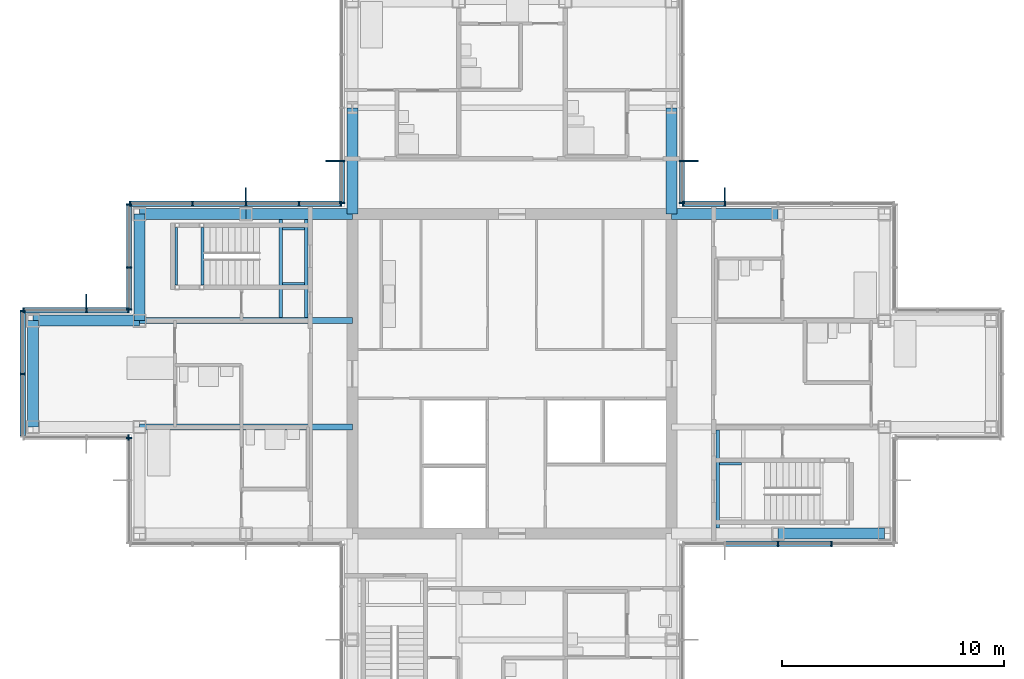
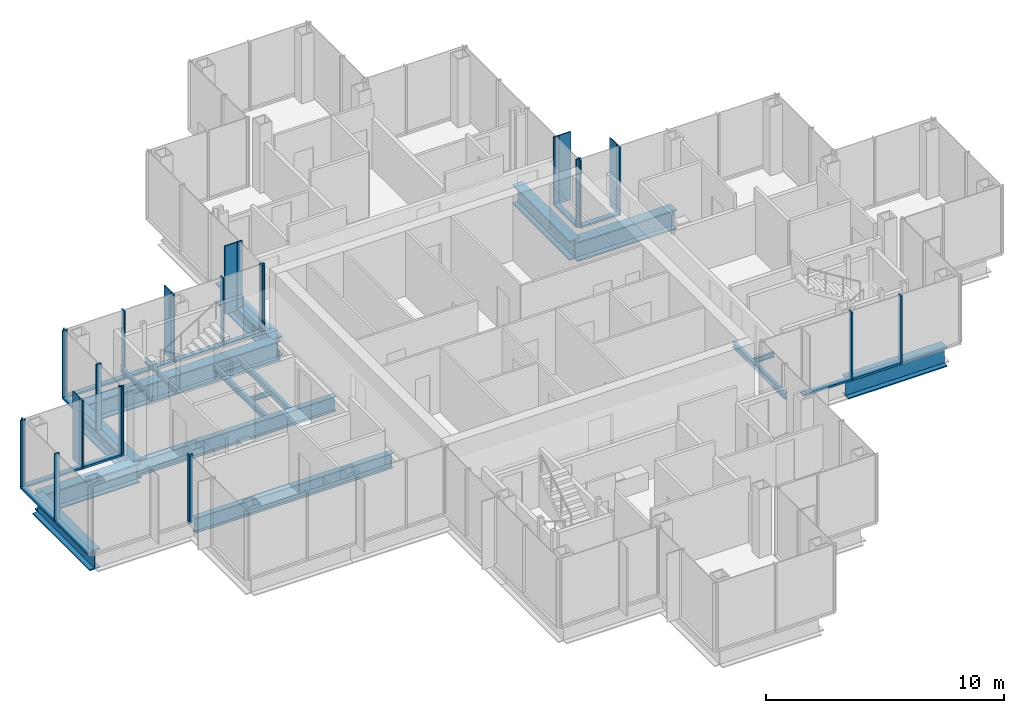
# One storey, part 7 of 17: 43 members, 19 beams, 10 elements without a shape of their own.
"""IFC4 building model written with IfcOpenShell, lengths in metres."""

from ifc_helpers import new_model, si_unit, direction, frame, origin, origin_2d, place, context, subcontext, project, spatial, rectangle, i_section, extrude, material, material_profile, profile_set, type_object, element, aggregate, save


model = new_model("IFC4")

# Units and contexts
model_context = context("Model", 3, precision=1e-05, world=origin(), true_north=direction((0.0, 1.0)))
body_context = subcontext(model_context, "Body", "Model", "MODEL_VIEW")
ifc_project = project(units=[si_unit("LENGTHUNIT", "METRE"), si_unit("AREAUNIT", "SQUARE_METRE"), si_unit("VOLUMEUNIT", "CUBIC_METRE"), si_unit("PLANEANGLEUNIT", "RADIAN"), si_unit("MASSUNIT", "GRAM", prefix="KILO")], contexts=[model_context])

# Site, building, storey
site_placement = place(None, origin())
site = spatial("IfcSite", under=ifc_project, at=site_placement, CompositionType="ELEMENT")
building_placement = place(site_placement, origin())
building = spatial("IfcBuilding", under=site, at=building_placement, Name="Kvirike Care Tower", CompositionType="ELEMENT")
storey_placement = place(building_placement, frame((0.0, 0.0, 151.5)))
storey = spatial("IfcBuildingStorey", under=building, at=storey_placement, Name="L41", CompositionType="ELEMENT", Elevation=151.5)

# Curtain wall, member
ifc_material_1 = material(Name="Anodised aluminium stick system", Category="aluminium")
curtain_wall_type = type_object("IfcCurtainWallType", Name="CW-C STICK CURTAIN WALL", PredefinedType="NOTDEFINED", material=ifc_material_1)
curtain_wall_1_placement = place(storey_placement, origin())
curtain_wall_1 = element("IfcCurtainWall", 1, at=curtain_wall_1_placement, inside=storey, type_object=curtain_wall_type, Name="Curtain wall L41 face 7", PredefinedType="NOTDEFINED")
ifc_material_2 = material(Name="Bronze anodised aluminium fin", Category="aluminium")
ifc_material_profile_1 = material_profile(ifc_material_2, rectangle(XDim=0.050048828125, YDim=0.60009765625, at=origin_2d()), Name="BRONZE FIN 600")
ifc_profile_set_1 = profile_set([ifc_material_profile_1], Name="Bronze anodised aluminium fin")
member_type_1 = type_object("IfcMemberType", Name="BRONZE FIN 600", PredefinedType="USERDEFINED", material=ifc_profile_set_1)
member_1_placement = place(storey_placement, frame((31.199951171875, 44.090087890625, 0.0), z_axis=(0.0, 0.0, 1.0), x_axis=(-1.0, 0.0, 0.0)))
member_1 = element("IfcMember", 2, at=member_1_placement, type_object=member_type_1, Name="Bronze fin L41 face 7.4", ObjectType="FIN", PredefinedType="USERDEFINED", context=body_context, shape_type="SweptSolid", body=[
    extrude(rectangle(XDim=0.050048828125, YDim=0.60009765625, at=origin_2d()), origin(), (0.0, 0.0, 1.0), 3.5),
])

curtain_wall_2_placement = place(storey_placement, origin())
curtain_wall_2 = element("IfcCurtainWall", 3, at=curtain_wall_2_placement, inside=storey, type_object=curtain_wall_type, Name="Curtain wall L41 face 8", PredefinedType="NOTDEFINED")
member_2_placement = place(storey_placement, frame((29.68994140625, 45.60009765625, 0.0), z_axis=(0.0, 0.0, 1.0), x_axis=(0.0, 1.0, 0.0)))
member_2 = element("IfcMember", 4, at=member_2_placement, type_object=member_type_1, Name="Bronze fin L41 face 8.2", ObjectType="FIN", PredefinedType="USERDEFINED", context=body_context, shape_type="SweptSolid", body=[
    extrude(rectangle(XDim=0.050048828125, YDim=0.60009765625, at=origin_2d()), origin(), (0.0, 0.0, 1.0), 3.5),
])

curtain_wall_3_placement = place(storey_placement, origin())
curtain_wall_3 = element("IfcCurtainWall", 5, at=curtain_wall_3_placement, inside=storey, type_object=curtain_wall_type, Name="Curtain wall L41 face 14", PredefinedType="NOTDEFINED")
member_3_placement = place(storey_placement, frame((13.510009765625, 45.60009765625, 0.0), z_axis=(0.0, 0.0, 1.0), x_axis=(0.0, -1.0, 0.0)))
member_3 = element("IfcMember", 6, at=member_3_placement, type_object=member_type_1, Name="Bronze fin L41 face 14.4", ObjectType="FIN", PredefinedType="USERDEFINED", context=body_context, shape_type="SweptSolid", body=[
    extrude(rectangle(XDim=0.050048828125, YDim=0.60009765625, at=origin_2d()), origin(), (0.0, 0.0, 1.0), 3.5),
])

curtain_wall_4_placement = place(storey_placement, origin())
curtain_wall_4 = element("IfcCurtainWall", 7, at=curtain_wall_4_placement, inside=storey, type_object=curtain_wall_type, Name="Curtain wall L41 face 15", PredefinedType="NOTDEFINED")
member_4_placement = place(storey_placement, frame((9.60009765625, 44.090087890625, 0.0), z_axis=(0.0, 0.0, 1.0), x_axis=(-1.0, 0.0, 0.0)))
member_4 = element("IfcMember", 8, at=member_4_placement, type_object=member_type_1, Name="Bronze fin L41 face 15.3", ObjectType="FIN", PredefinedType="USERDEFINED", context=body_context, shape_type="SweptSolid", body=[
    extrude(rectangle(XDim=0.050048828125, YDim=0.60009765625, at=origin_2d()), origin(), (0.0, 0.0, 1.0), 3.5),
])

curtain_wall_5_placement = place(storey_placement, origin())
curtain_wall_5 = element("IfcCurtainWall", 9, at=curtain_wall_5_placement, inside=storey, type_object=curtain_wall_type, Name="Curtain wall L41 face 17", PredefinedType="NOTDEFINED")
member_5_placement = place(storey_placement, frame((2.39990234375, 39.2900390625, 0.0), z_axis=(0.0, 0.0, 1.0), x_axis=(-1.0, 0.0, 0.0)))
member_5 = element("IfcMember", 10, at=member_5_placement, type_object=member_type_1, Name="Bronze fin L41 face 17.2", ObjectType="FIN", PredefinedType="USERDEFINED", context=body_context, shape_type="SweptSolid", body=[
    extrude(rectangle(XDim=0.050048828125, YDim=0.60009765625, at=origin_2d()), origin(), (0.0, 0.0, 1.0), 3.5),
])

# Curtain wall, members
curtain_wall_6_placement = place(storey_placement, origin())
curtain_wall_6 = element("IfcCurtainWall", 11, at=curtain_wall_6_placement, inside=storey, type_object=curtain_wall_type, Name="Curtain wall L41 face 1", PredefinedType="NOTDEFINED")
ifc_material_3 = material(Name="Bronze anodised aluminium mullion", Category="aluminium")
ifc_material_profile_2 = material_profile(ifc_material_3, rectangle(XDim=0.06494140625, YDim=0.239990234375, at=origin_2d()), Name="CW-C MULLION 65x240")
ifc_profile_set_2 = profile_set([ifc_material_profile_2], Name="Bronze anodised aluminium mullion")
member_type_2 = type_object("IfcMemberType", Name="CW-C MULLION 65x240", PredefinedType="MULLION", material=ifc_profile_set_2)
member_6_placement = place(storey_placement, frame((33.60009765625, 28.330078125, 0.0), z_axis=(0.0, 0.0, 1.0), x_axis=(1.0, 0.0, 0.0)))
member_6 = element("IfcMember", 12, at=member_6_placement, type_object=member_type_2, Name="CW-C mullion L41 face 1.3", PredefinedType="MULLION", context=body_context, shape_type="SweptSolid", body=[
    extrude(rectangle(XDim=0.06494140625, YDim=0.239990234375, at=origin_2d()), origin(), (0.0, 0.0, 1.0), 3.5),
])
member_7_placement = place(storey_placement, frame((36.0, 28.330078125, 0.0), z_axis=(0.0, 0.0, 1.0), x_axis=(1.0, 0.0, 0.0)))
member_7 = element("IfcMember", 13, at=member_7_placement, type_object=member_type_2, Name="CW-C mullion L41 face 1.4", PredefinedType="MULLION", context=body_context, shape_type="SweptSolid", body=[
    extrude(rectangle(XDim=0.06494140625, YDim=0.239990234375, at=origin_2d()), origin(), (0.0, 0.0, 1.0), 3.5),
])

# Member
member_8_placement = place(storey_placement, frame((31.199951171875, 43.669921875, 0.0), z_axis=(0.0, 0.0, 1.0), x_axis=(-1.0, 0.0, 0.0)))
member_8 = element("IfcMember", 14, at=member_8_placement, type_object=member_type_2, Name="CW-C mullion L41 face 7.4", PredefinedType="MULLION", context=body_context, shape_type="SweptSolid", body=[
    extrude(rectangle(XDim=0.06494140625, YDim=0.239990234375, at=origin_2d()), origin(), (0.0, 0.0, 1.0), 3.5),
])

member_9_placement = place(storey_placement, frame((29.302490234375, 43.669921875, 0.0), z_axis=(0.0, 0.0, 1.0), x_axis=(-1.0, 0.0, 0.0)))
member_9 = element("IfcMember", 15, at=member_9_placement, type_object=member_type_2, Name="CW-C mullion L41 face 7.5", PredefinedType="MULLION", context=body_context, shape_type="SweptSolid", body=[
    extrude(rectangle(XDim=0.06494140625, YDim=0.239990234375, at=origin_2d()), origin(), (0.0, 0.0, 1.0), 3.5),
])

member_10_placement = place(storey_placement, frame((29.27001953125, 43.702392578125, 0.0), z_axis=(0.0, 0.0, 1.0), x_axis=(0.0, 1.0, 0.0)))
member_10 = element("IfcMember", 16, at=member_10_placement, type_object=member_type_2, Name="CW-C mullion L41 face 8.1", PredefinedType="MULLION", context=body_context, shape_type="SweptSolid", body=[
    extrude(rectangle(XDim=0.06494140625, YDim=0.239990234375, at=origin_2d()), origin(), (0.0, 0.0, 1.0), 3.5),
])

member_11_placement = place(storey_placement, frame((29.27001953125, 45.60009765625, 0.0), z_axis=(0.0, 0.0, 1.0), x_axis=(0.0, 1.0, 0.0)))
member_11 = element("IfcMember", 17, at=member_11_placement, type_object=member_type_2, Name="CW-C mullion L41 face 8.2", PredefinedType="MULLION", context=body_context, shape_type="SweptSolid", body=[
    extrude(rectangle(XDim=0.06494140625, YDim=0.239990234375, at=origin_2d()), origin(), (0.0, 0.0, 1.0), 3.5),
])

member_12_placement = place(storey_placement, frame((13.929931640625, 45.60009765625, 0.0), z_axis=(0.0, 0.0, 1.0), x_axis=(0.0, -1.0, 0.0)))
member_12 = element("IfcMember", 18, at=member_12_placement, type_object=member_type_2, Name="CW-C mullion L41 face 14.4", PredefinedType="MULLION", context=body_context, shape_type="SweptSolid", body=[
    extrude(rectangle(XDim=0.06494140625, YDim=0.239990234375, at=origin_2d()), origin(), (0.0, 0.0, 1.0), 3.5),
])

member_13_placement = place(storey_placement, frame((13.929931640625, 43.702392578125, 0.0), z_axis=(0.0, 0.0, 1.0), x_axis=(0.0, -1.0, 0.0)))
member_13 = element("IfcMember", 19, at=member_13_placement, type_object=member_type_2, Name="CW-C mullion L41 face 14.5", PredefinedType="MULLION", context=body_context, shape_type="SweptSolid", body=[
    extrude(rectangle(XDim=0.06494140625, YDim=0.239990234375, at=origin_2d()), origin(), (0.0, 0.0, 1.0), 3.5),
])

member_14_placement = place(storey_placement, frame((13.8974609375, 43.669921875, 0.0), z_axis=(0.0, 0.0, 1.0), x_axis=(-1.0, 0.0, 0.0)))
member_14 = element("IfcMember", 20, at=member_14_placement, type_object=member_type_2, Name="CW-C mullion L41 face 15.1", PredefinedType="MULLION", context=body_context, shape_type="SweptSolid", body=[
    extrude(rectangle(XDim=0.06494140625, YDim=0.239990234375, at=origin_2d()), origin(), (0.0, 0.0, 1.0), 3.5),
])

member_15_placement = place(storey_placement, frame((12.0, 43.669921875, 0.0), z_axis=(0.0, 0.0, 1.0), x_axis=(-1.0, 0.0, 0.0)))
member_15 = element("IfcMember", 21, at=member_15_placement, type_object=member_type_2, Name="CW-C mullion L41 face 15.2", PredefinedType="MULLION", context=body_context, shape_type="SweptSolid", body=[
    extrude(rectangle(XDim=0.06494140625, YDim=0.239990234375, at=origin_2d()), origin(), (0.0, 0.0, 1.0), 3.5),
])

member_16_placement = place(storey_placement, frame((9.60009765625, 43.669921875, 0.0), z_axis=(0.0, 0.0, 1.0), x_axis=(-1.0, 0.0, 0.0)))
member_16 = element("IfcMember", 22, at=member_16_placement, type_object=member_type_2, Name="CW-C mullion L41 face 15.3", PredefinedType="MULLION", context=body_context, shape_type="SweptSolid", body=[
    extrude(rectangle(XDim=0.06494140625, YDim=0.239990234375, at=origin_2d()), origin(), (0.0, 0.0, 1.0), 3.5),
])

member_17_placement = place(storey_placement, frame((7.199951171875, 43.669921875, 0.0), z_axis=(0.0, 0.0, 1.0), x_axis=(-1.0, 0.0, 0.0)))
member_17 = element("IfcMember", 23, at=member_17_placement, type_object=member_type_2, Name="CW-C mullion L41 face 15.4", PredefinedType="MULLION", context=body_context, shape_type="SweptSolid", body=[
    extrude(rectangle(XDim=0.06494140625, YDim=0.239990234375, at=origin_2d()), origin(), (0.0, 0.0, 1.0), 3.5),
])

member_18_placement = place(storey_placement, frame((4.362548828125, 43.669921875, 0.0), z_axis=(0.0, 0.0, 1.0), x_axis=(-1.0, 0.0, 0.0)))
member_18 = element("IfcMember", 24, at=member_18_placement, type_object=member_type_2, Name="CW-C mullion L41 face 15.5", PredefinedType="MULLION", context=body_context, shape_type="SweptSolid", body=[
    extrude(rectangle(XDim=0.06494140625, YDim=0.239990234375, at=origin_2d()), origin(), (0.0, 0.0, 1.0), 3.5),
])

# Curtain wall, members
curtain_wall_7_placement = place(storey_placement, origin())
curtain_wall_7 = element("IfcCurtainWall", 25, at=curtain_wall_7_placement, inside=storey, type_object=curtain_wall_type, Name="Curtain wall L41 face 16", PredefinedType="NOTDEFINED")
member_19_placement = place(storey_placement, frame((4.330078125, 43.637451171875, 0.0), z_axis=(0.0, 0.0, 1.0), x_axis=(0.0, -1.0, 0.0)))
member_19 = element("IfcMember", 26, at=member_19_placement, type_object=member_type_2, Name="CW-C mullion L41 face 16.1", PredefinedType="MULLION", context=body_context, shape_type="SweptSolid", body=[
    extrude(rectangle(XDim=0.06494140625, YDim=0.239990234375, at=origin_2d()), origin(), (0.0, 0.0, 1.0), 3.5),
])
member_20_placement = place(storey_placement, frame((4.330078125, 40.800048828125, 0.0), z_axis=(0.0, 0.0, 1.0), x_axis=(0.0, -1.0, 0.0)))
member_20 = element("IfcMember", 27, at=member_20_placement, type_object=member_type_2, Name="CW-C mullion L41 face 16.2", PredefinedType="MULLION", context=body_context, shape_type="SweptSolid", body=[
    extrude(rectangle(XDim=0.06494140625, YDim=0.239990234375, at=origin_2d()), origin(), (0.0, 0.0, 1.0), 3.5),
])
member_21_placement = place(storey_placement, frame((4.330078125, 38.902587890625, 0.0), z_axis=(0.0, 0.0, 1.0), x_axis=(0.0, -1.0, 0.0)))
member_21 = element("IfcMember", 28, at=member_21_placement, type_object=member_type_2, Name="CW-C mullion L41 face 16.3", PredefinedType="MULLION", context=body_context, shape_type="SweptSolid", body=[
    extrude(rectangle(XDim=0.06494140625, YDim=0.239990234375, at=origin_2d()), origin(), (0.0, 0.0, 1.0), 3.5),
])

# Member
member_22_placement = place(storey_placement, frame((4.297607421875, 38.8701171875, 0.0), z_axis=(0.0, 0.0, 1.0), x_axis=(-1.0, 0.0, 0.0)))
member_22 = element("IfcMember", 29, at=member_22_placement, type_object=member_type_2, Name="CW-C mullion L41 face 17.1", PredefinedType="MULLION", context=body_context, shape_type="SweptSolid", body=[
    extrude(rectangle(XDim=0.06494140625, YDim=0.239990234375, at=origin_2d()), origin(), (0.0, 0.0, 1.0), 3.5),
])

member_23_placement = place(storey_placement, frame((2.39990234375, 38.8701171875, 0.0), z_axis=(0.0, 0.0, 1.0), x_axis=(-1.0, 0.0, 0.0)))
member_23 = element("IfcMember", 30, at=member_23_placement, type_object=member_type_2, Name="CW-C mullion L41 face 17.2", PredefinedType="MULLION", context=body_context, shape_type="SweptSolid", body=[
    extrude(rectangle(XDim=0.06494140625, YDim=0.239990234375, at=origin_2d()), origin(), (0.0, 0.0, 1.0), 3.5),
])

member_24_placement = place(storey_placement, frame((-0.4375, 38.8701171875, 0.0), z_axis=(0.0, 0.0, 1.0), x_axis=(-1.0, 0.0, 0.0)))
member_24 = element("IfcMember", 31, at=member_24_placement, type_object=member_type_2, Name="CW-C mullion L41 face 17.3", PredefinedType="MULLION", context=body_context, shape_type="SweptSolid", body=[
    extrude(rectangle(XDim=0.06494140625, YDim=0.239990234375, at=origin_2d()), origin(), (0.0, 0.0, 1.0), 3.5),
])

# Curtain wall, members
curtain_wall_8_placement = place(storey_placement, origin())
curtain_wall_8 = element("IfcCurtainWall", 32, at=curtain_wall_8_placement, inside=storey, type_object=curtain_wall_type, Name="Curtain wall L41 face 18", PredefinedType="NOTDEFINED")
member_25_placement = place(storey_placement, frame((-0.469970703125, 38.83740234375, 0.0), z_axis=(0.0, 0.0, 1.0), x_axis=(0.0, -1.0, 0.0)))
member_25 = element("IfcMember", 33, at=member_25_placement, type_object=member_type_2, Name="CW-C mullion L41 face 18.1", PredefinedType="MULLION", context=body_context, shape_type="SweptSolid", body=[
    extrude(rectangle(XDim=0.06494140625, YDim=0.239990234375, at=origin_2d()), origin(), (0.0, 0.0, 1.0), 3.5),
])
member_26_placement = place(storey_placement, frame((-0.469970703125, 36.0, 0.0), z_axis=(0.0, 0.0, 1.0), x_axis=(0.0, -1.0, 0.0)))
member_26 = element("IfcMember", 34, at=member_26_placement, type_object=member_type_2, Name="CW-C mullion L41 face 18.2", PredefinedType="MULLION", context=body_context, shape_type="SweptSolid", body=[
    extrude(rectangle(XDim=0.06494140625, YDim=0.239990234375, at=origin_2d()), origin(), (0.0, 0.0, 1.0), 3.5),
])

# Curtain wall, member
curtain_wall_9_placement = place(storey_placement, origin())
curtain_wall_9 = element("IfcCurtainWall", 35, at=curtain_wall_9_placement, inside=storey, type_object=curtain_wall_type, Name="Curtain wall L41 face 19", PredefinedType="NOTDEFINED")
member_27_placement = place(storey_placement, frame((4.297607421875, 33.1298828125, 0.0), z_axis=(0.0, 0.0, 1.0), x_axis=(1.0, 0.0, 0.0)))
member_27 = element("IfcMember", 36, at=member_27_placement, type_object=member_type_2, Name="CW-C mullion L41 face 19.3", PredefinedType="MULLION", context=body_context, shape_type="SweptSolid", body=[
    extrude(rectangle(XDim=0.06494140625, YDim=0.239990234375, at=origin_2d()), origin(), (0.0, 0.0, 1.0), 3.5),
])
aggregate(curtain_wall_9, [member_27])

curtain_wall_10_placement = place(storey_placement, origin())
curtain_wall_10 = element("IfcCurtainWall", 37, at=curtain_wall_10_placement, inside=storey, type_object=curtain_wall_type, Name="Curtain wall L41 face 20", PredefinedType="NOTDEFINED")
member_28_placement = place(storey_placement, frame((4.330078125, 33.097412109375, 0.0), z_axis=(0.0, 0.0, 1.0), x_axis=(0.0, -1.0, 0.0)))
member_28 = element("IfcMember", 38, at=member_28_placement, type_object=member_type_2, Name="CW-C mullion L41 face 20.1", PredefinedType="MULLION", context=body_context, shape_type="SweptSolid", body=[
    extrude(rectangle(XDim=0.06494140625, YDim=0.239990234375, at=origin_2d()), origin(), (0.0, 0.0, 1.0), 3.5),
])
aggregate(curtain_wall_10, [member_28])

# Member
ifc_material_4 = material(Name="Bronze anodised aluminium transom", Category="aluminium")
ifc_material_profile_3 = material_profile(ifc_material_4, rectangle(XDim=0.239990234375, YDim=0.10009765625, at=origin_2d()), Name="CW-C TRANSOM 240x100")
ifc_profile_set_3 = profile_set([ifc_material_profile_3], Name="Bronze anodised aluminium transom")
member_type_3 = type_object("IfcMemberType", Name="CW-C TRANSOM 240x100", PredefinedType="USERDEFINED", material=ifc_profile_set_3)
member_29_placement = place(storey_placement, frame((31.232421875, 28.330078125, 0.050048828125), z_axis=(1.0, 0.0, 0.0), x_axis=(0.0, 1.0, 0.0)))
member_29 = element("IfcMember", 39, at=member_29_placement, type_object=member_type_3, Name="CW-C sill transom L41 face 1.2", ObjectType="TRANSOM", PredefinedType="USERDEFINED", context=body_context, shape_type="SweptSolid", body=[
    extrude(rectangle(XDim=0.239990234375, YDim=0.10009765625, at=origin_2d()), origin(), (0.0, 0.0, 1.0), 2.3349609375),
])

member_30_placement = place(storey_placement, frame((33.632568359375, 28.330078125, 0.050048828125), z_axis=(1.0, 0.0, 0.0), x_axis=(0.0, 1.0, 0.0)))
member_30 = element("IfcMember", 40, at=member_30_placement, type_object=member_type_3, Name="CW-C sill transom L41 face 1.3", ObjectType="TRANSOM", PredefinedType="USERDEFINED", context=body_context, shape_type="SweptSolid", body=[
    extrude(rectangle(XDim=0.239990234375, YDim=0.10009765625, at=origin_2d()), origin(), (0.0, 0.0, 1.0), 2.3349609375),
])

aggregate(curtain_wall_6, [member_6, member_7, member_29, member_30])

member_31_placement = place(storey_placement, frame((31.16748046875, 43.669921875, 0.050048828125), z_axis=(-1.0, 0.0, 0.0), x_axis=(0.0, -1.0, 0.0)))
member_31 = element("IfcMember", 41, at=member_31_placement, type_object=member_type_3, Name="CW-C sill transom L41 face 7.4", ObjectType="TRANSOM", PredefinedType="USERDEFINED", context=body_context, shape_type="SweptSolid", body=[
    extrude(rectangle(XDim=0.239990234375, YDim=0.10009765625, at=origin_2d()), origin(), (0.0, 0.0, 1.0), 1.83251953125),
])

aggregate(curtain_wall_1, [member_8, member_1, member_9, member_31])

member_32_placement = place(storey_placement, frame((29.27001953125, 43.735107421875, 0.050048828125), z_axis=(0.0, 1.0, 0.0), x_axis=(-1.0, 0.0, 0.0)))
member_32 = element("IfcMember", 42, at=member_32_placement, type_object=member_type_3, Name="CW-C sill transom L41 face 8.1", ObjectType="TRANSOM", PredefinedType="USERDEFINED", context=body_context, shape_type="SweptSolid", body=[
    extrude(rectangle(XDim=0.239990234375, YDim=0.10009765625, at=origin_2d()), origin(), (0.0, 0.0, 1.0), 1.832275390625),
])

aggregate(curtain_wall_2, [member_10, member_11, member_2, member_32])

member_33_placement = place(storey_placement, frame((13.929931640625, 45.5673828125, 0.050048828125), z_axis=(0.0, -1.0, 0.0), x_axis=(1.0, 0.0, 0.0)))
member_33 = element("IfcMember", 43, at=member_33_placement, type_object=member_type_3, Name="CW-C sill transom L41 face 14.4", ObjectType="TRANSOM", PredefinedType="USERDEFINED", context=body_context, shape_type="SweptSolid", body=[
    extrude(rectangle(XDim=0.239990234375, YDim=0.10009765625, at=origin_2d()), origin(), (0.0, 0.0, 1.0), 1.832275390625),
])

aggregate(curtain_wall_3, [member_12, member_3, member_13, member_33])

member_34_placement = place(storey_placement, frame((13.864990234375, 43.669921875, 0.050048828125), z_axis=(-1.0, 0.0, 0.0), x_axis=(0.0, -1.0, 0.0)))
member_34 = element("IfcMember", 44, at=member_34_placement, type_object=member_type_3, Name="CW-C sill transom L41 face 15.1", ObjectType="TRANSOM", PredefinedType="USERDEFINED", context=body_context, shape_type="SweptSolid", body=[
    extrude(rectangle(XDim=0.239990234375, YDim=0.10009765625, at=origin_2d()), origin(), (0.0, 0.0, 1.0), 1.83251953125),
])

member_35_placement = place(storey_placement, frame((11.967529296875, 43.669921875, 0.050048828125), z_axis=(-1.0, 0.0, 0.0), x_axis=(0.0, -1.0, 0.0)))
member_35 = element("IfcMember", 45, at=member_35_placement, type_object=member_type_3, Name="CW-C sill transom L41 face 15.2", ObjectType="TRANSOM", PredefinedType="USERDEFINED", context=body_context, shape_type="SweptSolid", body=[
    extrude(rectangle(XDim=0.239990234375, YDim=0.10009765625, at=origin_2d()), origin(), (0.0, 0.0, 1.0), 2.3349609375),
])

member_36_placement = place(storey_placement, frame((9.5673828125, 43.669921875, 0.050048828125), z_axis=(-1.0, 0.0, 0.0), x_axis=(0.0, -1.0, 0.0)))
member_36 = element("IfcMember", 46, at=member_36_placement, type_object=member_type_3, Name="CW-C sill transom L41 face 15.3", ObjectType="TRANSOM", PredefinedType="USERDEFINED", context=body_context, shape_type="SweptSolid", body=[
    extrude(rectangle(XDim=0.239990234375, YDim=0.10009765625, at=origin_2d()), origin(), (0.0, 0.0, 1.0), 2.3349609375),
])

member_37_placement = place(storey_placement, frame((7.16748046875, 43.669921875, 0.050048828125), z_axis=(-1.0, 0.0, 0.0), x_axis=(0.0, -1.0, 0.0)))
member_37 = element("IfcMember", 47, at=member_37_placement, type_object=member_type_3, Name="CW-C sill transom L41 face 15.4", ObjectType="TRANSOM", PredefinedType="USERDEFINED", context=body_context, shape_type="SweptSolid", body=[
    extrude(rectangle(XDim=0.239990234375, YDim=0.10009765625, at=origin_2d()), origin(), (0.0, 0.0, 1.0), 2.7724609375),
])

aggregate(curtain_wall_4, [member_14, member_15, member_16, member_4, member_17, member_18, member_34, member_35, member_36, member_37])

member_38_placement = place(storey_placement, frame((4.330078125, 43.60498046875, 0.050048828125), z_axis=(0.0, -1.0, 0.0), x_axis=(1.0, 0.0, 0.0)))
member_38 = element("IfcMember", 48, at=member_38_placement, type_object=member_type_3, Name="CW-C sill transom L41 face 16.1", ObjectType="TRANSOM", PredefinedType="USERDEFINED", context=body_context, shape_type="SweptSolid", body=[
    extrude(rectangle(XDim=0.239990234375, YDim=0.10009765625, at=origin_2d()), origin(), (0.0, 0.0, 1.0), 2.7724609375),
])

member_39_placement = place(storey_placement, frame((4.330078125, 40.767578125, 0.050048828125), z_axis=(0.0, -1.0, 0.0), x_axis=(1.0, 0.0, 0.0)))
member_39 = element("IfcMember", 49, at=member_39_placement, type_object=member_type_3, Name="CW-C sill transom L41 face 16.2", ObjectType="TRANSOM", PredefinedType="USERDEFINED", context=body_context, shape_type="SweptSolid", body=[
    extrude(rectangle(XDim=0.239990234375, YDim=0.10009765625, at=origin_2d()), origin(), (0.0, 0.0, 1.0), 1.83251953125),
])

aggregate(curtain_wall_7, [member_19, member_20, member_21, member_38, member_39])

member_40_placement = place(storey_placement, frame((4.264892578125, 38.8701171875, 0.050048828125), z_axis=(-1.0, 0.0, 0.0), x_axis=(0.0, -1.0, 0.0)))
member_40 = element("IfcMember", 50, at=member_40_placement, type_object=member_type_3, Name="CW-C sill transom L41 face 17.1", ObjectType="TRANSOM", PredefinedType="USERDEFINED", context=body_context, shape_type="SweptSolid", body=[
    extrude(rectangle(XDim=0.239990234375, YDim=0.10009765625, at=origin_2d()), origin(), (0.0, 0.0, 1.0), 1.832275390625),
])

member_41_placement = place(storey_placement, frame((2.367431640625, 38.8701171875, 0.050048828125), z_axis=(-1.0, 0.0, 0.0), x_axis=(0.0, -1.0, 0.0)))
member_41 = element("IfcMember", 51, at=member_41_placement, type_object=member_type_3, Name="CW-C sill transom L41 face 17.2", ObjectType="TRANSOM", PredefinedType="USERDEFINED", context=body_context, shape_type="SweptSolid", body=[
    extrude(rectangle(XDim=0.239990234375, YDim=0.10009765625, at=origin_2d()), origin(), (0.0, 0.0, 1.0), 2.7724609375),
])

aggregate(curtain_wall_5, [member_22, member_23, member_5, member_24, member_40, member_41])

member_42_placement = place(storey_placement, frame((-0.469970703125, 38.804931640625, 0.050048828125), z_axis=(0.0, -1.0, 0.0), x_axis=(1.0, 0.0, 0.0)))
member_42 = element("IfcMember", 52, at=member_42_placement, type_object=member_type_3, Name="CW-C sill transom L41 face 18.1", ObjectType="TRANSOM", PredefinedType="USERDEFINED", context=body_context, shape_type="SweptSolid", body=[
    extrude(rectangle(XDim=0.239990234375, YDim=0.10009765625, at=origin_2d()), origin(), (0.0, 0.0, 1.0), 2.7724609375),
])

member_43_placement = place(storey_placement, frame((-0.469970703125, 35.967529296875, 0.050048828125), z_axis=(0.0, -1.0, 0.0), x_axis=(1.0, 0.0, 0.0)))
member_43 = element("IfcMember", 53, at=member_43_placement, type_object=member_type_3, Name="CW-C sill transom L41 face 18.2", ObjectType="TRANSOM", PredefinedType="USERDEFINED", context=body_context, shape_type="SweptSolid", body=[
    extrude(rectangle(XDim=0.239990234375, YDim=0.10009765625, at=origin_2d()), origin(), (0.0, 0.0, 1.0), 2.7724609375),
])

aggregate(curtain_wall_8, [member_25, member_26, member_42, member_43])

# Beams
ifc_material_5 = material(Name="Steel S355", Category="steel")
ifc_material_profile_4 = material_profile(ifc_material_5, i_section(OverallWidth=0.26806640625, OverallDepth=0.77001953125, WebThickness=0.015625, FlangeThickness=0.025390625, FilletRadius=0.01708984375, at=origin_2d()), Name="IPE 750x196")
ifc_profile_set_4 = profile_set([ifc_material_profile_4], Name="Steel S355")
beam_type_1 = type_object("IfcBeamType", Name="FLOOR BEAM IPE 750x196", PredefinedType="BEAM", material=ifc_profile_set_4)
for number, where, z_axis, x_axis, name in (
    (54, (4.800048828125, 33.60009765625, -0.554931640625), (1.0, 0.0, 0.0), (0.0, 1.0, 0.0), "Floor Beam H4-H6 L41"),
    (55, (4.800048828125, 38.39990234375, -0.554931640625), (1.0, 0.0, 0.0), (0.0, 1.0, 0.0), "Floor Beam J4-J6 L41"),
):
    element("IfcBeam", number, at=place(storey_placement, frame(where, z_axis=z_axis, x_axis=x_axis)), inside=storey, type_object=beam_type_1, Name=name, PredefinedType="BEAM", context=body_context, shape_type="SweptSolid", body=[
        extrude(i_section(OverallWidth=0.26806640625, OverallDepth=0.77001953125, WebThickness=0.015625, FlangeThickness=0.025390625, FilletRadius=0.01708984375, at=origin_2d()), origin(), (0.0, 0.0, 1.0), 9.599853515625),
    ])
ifc_material_6 = material(Name="Steel S355", Category="steel")
ifc_material_profile_5 = material_profile(ifc_material_6, i_section(OverallWidth=0.5, OverallDepth=1.0, WebThickness=0.030029296875, FlangeThickness=0.06005859375, at=origin_2d()), Name="PG 1000x500x30x60")
ifc_profile_set_5 = profile_set([ifc_material_profile_5], Name="Steel S355")
beam_type_2 = type_object("IfcBeamType", Name="SPANDREL PG 1000x500x30x60", PredefinedType="SPANDREL", material=ifc_profile_set_5)
beam_1_placement = place(storey_placement, frame((33.60009765625, 28.800048828125, -0.669921875), z_axis=(1.0, 0.0, 0.0), x_axis=(0.0, 1.0, 0.0)))
element("IfcBeam", 56, at=beam_1_placement, inside=storey, type_object=beam_type_2, Name="Spandrel G10-G11 L41", PredefinedType="SPANDREL", context=body_context, shape_type="SweptSolid", body=[
    extrude(i_section(OverallWidth=0.5, OverallDepth=1.0, WebThickness=0.030029296875, FlangeThickness=0.06005859375, at=origin_2d()), origin(), (0.0, 0.0, 1.0), 4.7998046875),
])
for number, where, z_axis, x_axis, name in (
    (57, (0.0, 38.39990234375, -0.669921875), (1.0, 0.0, 0.0), (0.0, 1.0, 0.0), "Spandrel J3-J4 L41"),
    (58, (4.800048828125, 43.199951171875, -0.669921875), (1.0, 0.0, 0.0), (0.0, 1.0, 0.0), "Spandrel K4-K5 L41"),
):
    element("IfcBeam", number, at=place(storey_placement, frame(where, z_axis=z_axis, x_axis=x_axis)), inside=storey, type_object=beam_type_2, Name=name, PredefinedType="SPANDREL", context=body_context, shape_type="SweptSolid", body=[
        extrude(i_section(OverallWidth=0.5, OverallDepth=1.0, WebThickness=0.030029296875, FlangeThickness=0.06005859375, at=origin_2d()), origin(), (0.0, 0.0, 1.0), 4.800048828125),
    ])
beam_2_placement = place(storey_placement, frame((9.60009765625, 43.199951171875, -0.669921875), z_axis=(1.0, 0.0, 0.0), x_axis=(0.0, 1.0, 0.0)))
element("IfcBeam", 59, at=beam_2_placement, inside=storey, type_object=beam_type_2, Name="Spandrel K5-K6 L41", PredefinedType="SPANDREL", context=body_context, shape_type="SweptSolid", body=[
    extrude(i_section(OverallWidth=0.5, OverallDepth=1.0, WebThickness=0.030029296875, FlangeThickness=0.06005859375, at=origin_2d()), origin(), (0.0, 0.0, 1.0), 4.7998046875),
])
beam_3_placement = place(storey_placement, frame((28.800048828125, 43.199951171875, -0.669921875), z_axis=(1.0, 0.0, 0.0), x_axis=(0.0, 1.0, 0.0)))
element("IfcBeam", 60, at=beam_3_placement, inside=storey, type_object=beam_type_2, Name="Spandrel K9-K10 L41", PredefinedType="SPANDREL", context=body_context, shape_type="SweptSolid", body=[
    extrude(i_section(OverallWidth=0.5, OverallDepth=1.0, WebThickness=0.030029296875, FlangeThickness=0.06005859375, at=origin_2d()), origin(), (0.0, 0.0, 1.0), 4.800048828125),
])
beam_4_placement = place(storey_placement, frame((0.0, 33.60009765625, -0.669921875), z_axis=(0.0, 1.0, 0.0), x_axis=(-1.0, 0.0, 0.0)))
element("IfcBeam", 61, at=beam_4_placement, inside=storey, type_object=beam_type_2, Name="Spandrel H3-J3 L41", PredefinedType="SPANDREL", context=body_context, shape_type="SweptSolid", body=[
    extrude(i_section(OverallWidth=0.5, OverallDepth=1.0, WebThickness=0.030029296875, FlangeThickness=0.06005859375, at=origin_2d()), origin(), (0.0, 0.0, 1.0), 4.7998046875),
])
for number, where, z_axis, x_axis, name in (
    (62, (4.800048828125, 38.39990234375, -0.669921875), (0.0, 1.0, 0.0), (-1.0, 0.0, 0.0), "Spandrel J4-K4 L41"),
    (63, (14.39990234375, 43.199951171875, -0.669921875), (0.0, 1.0, 0.0), (-1.0, 0.0, 0.0), "Spandrel K6-L6 L41"),
    (64, (28.800048828125, 43.199951171875, -0.669921875), (0.0, 1.0, 0.0), (-1.0, 0.0, 0.0), "Spandrel K9-L9 L41"),
):
    element("IfcBeam", number, at=place(storey_placement, frame(where, z_axis=z_axis, x_axis=x_axis)), inside=storey, type_object=beam_type_2, Name=name, PredefinedType="SPANDREL", context=body_context, shape_type="SweptSolid", body=[
        extrude(i_section(OverallWidth=0.5, OverallDepth=1.0, WebThickness=0.030029296875, FlangeThickness=0.06005859375, at=origin_2d()), origin(), (0.0, 0.0, 1.0), 4.800048828125),
    ])
ifc_material_7 = material(Name="Steel S355", Category="steel")
ifc_material_profile_6 = material_profile(ifc_material_7, i_section(OverallWidth=0.1201171875, OverallDepth=0.239990234375, WebThickness=0.006103515625, FlangeThickness=0.009765625, FilletRadius=0.014892578125, at=origin_2d()), Name="IPE 240")
ifc_profile_set_6 = profile_set([ifc_material_profile_6], Name="Steel S355")
beam_type_3 = type_object("IfcBeamType", Name="STAIR LANDING BEAM IPE 240", PredefinedType="BEAM", material=ifc_profile_set_6)
for number, where, z_axis, x_axis, name in (
    (65, (6.4599609375, 42.60009765625, 1.429931640625), (0.0, -1.0, 0.0), (1.0, 0.0, 0.0), "Stair 1 landing beam back L41"),
    (66, (7.639892578125, 42.60009765625, 1.429931640625), (0.0, -1.0, 0.0), (1.0, 0.0, 0.0), "Stair 1 landing beam front L41"),
):
    element("IfcBeam", number, at=place(storey_placement, frame(where, z_axis=z_axis, x_axis=x_axis)), inside=storey, type_object=beam_type_3, Name=name, PredefinedType="BEAM", context=body_context, shape_type="SweptSolid", body=[
        extrude(i_section(OverallWidth=0.1201171875, OverallDepth=0.239990234375, WebThickness=0.006103515625, FlangeThickness=0.009765625, FilletRadius=0.014892578125, at=origin_2d()), origin(), (0.0, 0.0, 1.0), 2.60009765625),
    ])
for number, where, z_axis, x_axis, name in (
    (67, (11.25, 42.5400390625, -0.320068359375), (1.0, 0.0, 0.0), (0.0, 1.0, 0.0), "Stair 1 landing edge beam 1 L41"),
    (68, (11.25, 40.06005859375, -0.320068359375), (1.0, 0.0, 0.0), (0.0, 1.0, 0.0), "Stair 1 landing edge beam 2 L41"),
    (69, (31.949951171875, 31.93994140625, -0.320068359375), (-1.0, 0.0, 0.0), (0.0, -1.0, 0.0), "Stair 2 landing edge beam 2 L41"),
):
    element("IfcBeam", number, at=place(storey_placement, frame(where, z_axis=z_axis, x_axis=x_axis)), inside=storey, type_object=beam_type_3, Name=name, PredefinedType="BEAM", context=body_context, shape_type="SweptSolid", body=[
        extrude(i_section(OverallWidth=0.1201171875, OverallDepth=0.239990234375, WebThickness=0.006103515625, FlangeThickness=0.009765625, FilletRadius=0.014892578125, at=origin_2d()), origin(), (0.0, 0.0, 1.0), 1.0),
    ])
ifc_material_8 = material(Name="Steel S355", Category="steel")
ifc_material_profile_7 = material_profile(ifc_material_8, i_section(OverallWidth=0.14990234375, OverallDepth=0.300048828125, WebThickness=0.007080078125, FlangeThickness=0.0107421875, FilletRadius=0.014892578125, at=origin_2d()), Name="IPE 300")
ifc_profile_set_7 = profile_set([ifc_material_profile_7], Name="Steel S355")
beam_type_4 = type_object("IfcBeamType", Name="STAIR TRIMMER IPE 300", PredefinedType="BEAM", material=ifc_profile_set_7)
for number, where, z_axis, x_axis, name in (
    (70, (11.175048828125, 42.949951171875, -0.35009765625), (0.0, -1.0, 0.0), (1.0, 0.0, 0.0), "Stair 1 trimmer 1 L41"),
    (71, (12.324951171875, 42.949951171875, -0.35009765625), (0.0, -1.0, 0.0), (1.0, 0.0, 0.0), "Stair 1 trimmer 2 L41"),
    (72, (30.875, 29.050048828125, -0.35009765625), (0.0, 1.0, 0.0), (-1.0, 0.0, 0.0), "Stair 2 trimmer 2 L41"),
):
    element("IfcBeam", number, at=place(storey_placement, frame(where, z_axis=z_axis, x_axis=x_axis)), inside=storey, type_object=beam_type_4, Name=name, PredefinedType="BEAM", context=body_context, shape_type="SweptSolid", body=[
        extrude(i_section(OverallWidth=0.14990234375, OverallDepth=0.300048828125, WebThickness=0.007080078125, FlangeThickness=0.0107421875, FilletRadius=0.014892578125, at=origin_2d()), origin(), (0.0, 0.0, 1.0), 4.416015625),
    ])

save(model, "model.ifc")
